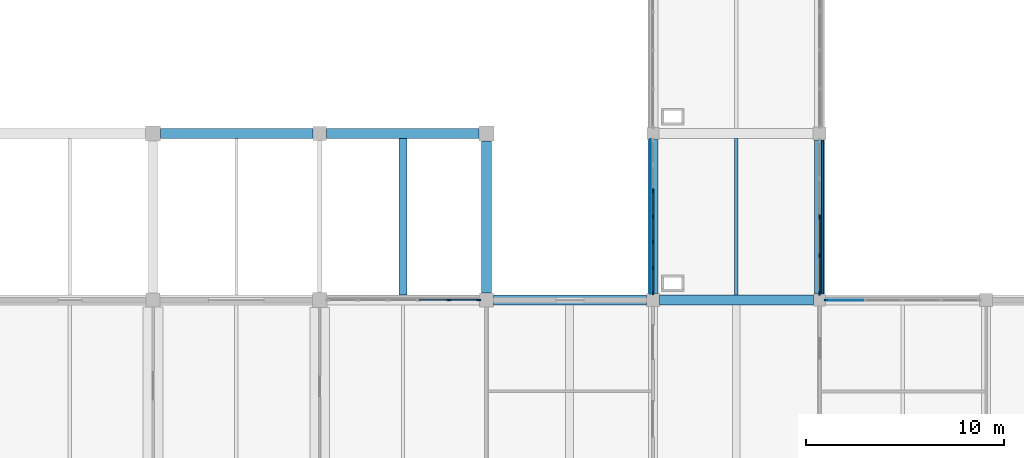
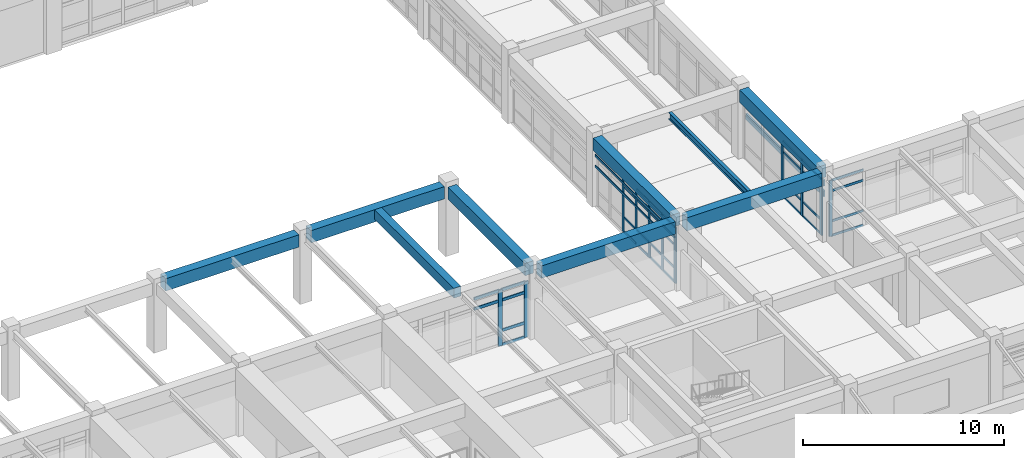
# One storey, part 34 of 99: 48 members, 9 beams, 4 elements without a shape of their own.
"""IFC4 building model written with IfcOpenShell, lengths in metres."""

import ifcopenshell
import ifcopenshell.guid

model = None  # the IFC model being written
_history = None  # IfcOwnerHistory: only IFC2X3 demands one
_inside = {}  # id of a spatial element -> (the spatial element, [elements in it])
_under = {}  # id of a project, library or spatial element -> (it, [spatial elements below it])
_declared = {}  # id of a project -> (the project, [libraries it declares])
_typed = {}  # id of a type object -> (the type object, [elements of that type])
_made_of = {}  # id of a material, layer set ... -> (it, [elements and type objects made of it])


def new_model(schema):
    """Start an empty IFC model of exactly this schema.

    Asked for "IFC4X3", IfcOpenShell would pick the latest addendum, in which some entities
    have other attributes; the version numbers below select the first issue.
    IFC2X3 requires an IfcOwnerHistory on every rooted entity: one is made here for all.
    """
    global model, _history
    if schema == "IFC4X3":
        model = ifcopenshell.file(schema_version=(4, 3, 0, 0))
    else:
        model = ifcopenshell.file(schema=schema)
    _inside.clear()
    _under.clear()
    _declared.clear()
    _typed.clear()
    _made_of.clear()
    _history = None
    if model.schema == "IFC2X3":
        org = make("IfcOrganization", Name="unknown")
        user = make(
            "IfcPersonAndOrganization",
            ThePerson=make("IfcPerson", FamilyName="unknown"),
            TheOrganization=org,
        )
        app = make(
            "IfcApplication",
            ApplicationDeveloper=org,
            Version="unknown",
            ApplicationFullName="unknown",
            ApplicationIdentifier="unknown",
        )
        _history = make(
            "IfcOwnerHistory",
            OwningUser=user,
            OwningApplication=app,
            ChangeAction="ADDED",
            CreationDate=0,
        )
    return model


def make(cls, **values):
    """One entity of the class cls with the attributes given. An attribute that is None is left unset."""
    return model.create_entity(
        cls, **{name: value for name, value in values.items() if value is not None}
    )


def rooted(cls, **values):
    """An entity with a GlobalId (a new one), such as an element, a storey or a relation."""
    return make(cls, GlobalId=ifcopenshell.guid.new(), OwnerHistory=_history, **values)


def si_unit(unit_type, name, prefix=None):
    """IfcSIUnit, for example si_unit("LENGTHUNIT", "METRE", prefix="MILLI")."""
    return make("IfcSIUnit", UnitType=unit_type, Prefix=prefix, Name=name)


def assignment(units):
    """IfcUnitAssignment: the units of a project."""
    return None if units is None else make("IfcUnitAssignment", Units=units)


def point(xyz):
    """IfcCartesianPoint."""
    return None if xyz is None else make("IfcCartesianPoint", Coordinates=xyz)


def direction(xyz):
    """IfcDirection."""
    return None if xyz is None else make("IfcDirection", DirectionRatios=xyz)


def frame(location, z_axis=None, x_axis=None):
    """IfcAxis2Placement3D, a coordinate frame: its origin and axes. An axis left out is left unset."""
    return make(
        "IfcAxis2Placement3D",
        Location=point(location),
        Axis=direction(z_axis),
        RefDirection=direction(x_axis),
    )


def frame_2d(location, x_axis=None):
    """IfcAxis2Placement2D, a coordinate frame in the plane: its origin and x axis."""
    return make(
        "IfcAxis2Placement2D", Location=point(location), RefDirection=direction(x_axis)
    )


def origin():
    """The frame at (0, 0, 0) with its axes left unset."""
    return frame((0.0, 0.0, 0.0))


def origin_2d():
    """The frame at (0, 0) in the plane with its x axis left unset."""
    return frame_2d((0.0, 0.0))


def place(relative_to, where):
    """IfcLocalPlacement: puts the frame where relative to a parent placement (None: the world)."""
    return make(
        "IfcLocalPlacement", PlacementRelTo=relative_to, RelativePlacement=where
    )


def context(
    kind, dimensions, precision=None, world=None, true_north=None, identifier=None
):
    """IfcGeometricRepresentationContext, for example the 3D "Model" context."""
    return make(
        "IfcGeometricRepresentationContext",
        ContextIdentifier=identifier,
        ContextType=kind,
        CoordinateSpaceDimension=dimensions,
        Precision=precision,
        WorldCoordinateSystem=world,
        TrueNorth=true_north,
    )


def subcontext(parent, identifier, kind, view, scale=None):
    """IfcGeometricRepresentationSubContext, for example "Body" below "Model"."""
    return make(
        "IfcGeometricRepresentationSubContext",
        ContextIdentifier=identifier,
        ContextType=kind,
        ParentContext=parent,
        TargetScale=scale,
        TargetView=view,
    )


def project(units=None, contexts=None):
    """IfcProject with its units and contexts."""
    return rooted(
        "IfcProject",
        Name="project",
        RepresentationContexts=contexts,
        UnitsInContext=assignment(units),
    )


def spatial(cls, under=None, at=None, **own):
    """A site, building, storey or space (cls), placed at a placement, below another one or the project."""
    s = rooted(cls, ObjectPlacement=at, **own)
    if under is not None:
        _under.setdefault(under.id(), (under, []))[1].append(s)
    return s


def profile(cls, at=None, kind="AREA", **sizes):
    """A parametric profile (cls). Its sizes go by their IFC names, for example OverallWidth=200.0."""
    return make(cls, ProfileType=kind, Position=at, **sizes)


def rectangle(**sizes):
    """IfcRectangleProfileDef."""
    return profile("IfcRectangleProfileDef", **sizes)


def i_section(**sizes):
    """IfcIShapeProfileDef."""
    return profile("IfcIShapeProfileDef", **sizes)


def extrude(swept, where, along, depth):
    """IfcExtrudedAreaSolid: the profile swept, set in the frame where, extruded along a direction by depth."""
    return make(
        "IfcExtrudedAreaSolid",
        SweptArea=swept,
        Position=where,
        ExtrudedDirection=direction(along),
        Depth=depth,
    )


def shape(context_of_items, identifier, shape_type, items):
    """IfcShapeRepresentation: the items that make up one representation, for example the "Body"."""
    return make(
        "IfcShapeRepresentation",
        ContextOfItems=context_of_items,
        RepresentationIdentifier=identifier,
        RepresentationType=shape_type,
        Items=items,
    )


def material(Name=None, Category=None):
    """IfcMaterial."""
    return make("IfcMaterial", Name=Name, Category=Category)


def layer(
    of_material, thickness, ventilated=None, Name=None, Category=None, Priority=None
):
    """IfcMaterialLayer: one layer of a wall or slab, of a material (None: an air gap)."""
    return make(
        "IfcMaterialLayer",
        Material=of_material,
        LayerThickness=thickness,
        IsVentilated=ventilated,
        Name=Name,
        Category=Category,
        Priority=Priority,
    )


def layer_set(layers, Name=None):
    """IfcMaterialLayerSet."""
    return make("IfcMaterialLayerSet", MaterialLayers=layers, LayerSetName=Name)


def material_profile(
    of_material, cross_section, Name=None, Category=None, Priority=None
):
    """IfcMaterialProfile: a cross section and its material."""
    return make(
        "IfcMaterialProfile",
        Name=Name,
        Material=of_material,
        Profile=cross_section,
        Priority=Priority,
        Category=Category,
    )


def profile_set(profiles, Name=None, composite=None):
    """IfcMaterialProfileSet."""
    return make(
        "IfcMaterialProfileSet",
        Name=Name,
        MaterialProfiles=profiles,
        CompositeProfile=composite,
    )


def made_of(thing, what):
    """Note that an element or type object is made of a material, layer set ...; save() writes the relation."""
    if what is not None:
        _made_of.setdefault(what.id(), (what, []))[1].append(thing)
    return thing


def type_object(cls, material=None, **own):
    """A type object (cls), such as IfcWallType, which elements share."""
    return made_of(rooted(cls, **own), material)


def element(
    cls,
    number,
    at=None,
    inside=None,
    cuts=None,
    type_object=None,
    material=None,
    context=None,
    identifier="Body",
    shape_type=None,
    held_by="IfcProductDefinitionShape",
    body=None,
    shapes=None,
    **own,
):
    """One element of the class cls, such as IfcWall. Its Tag is "e" and its number.

    at: its placement. inside: the storey or other place that contains it. cuts: it is an
    opening in that element (IfcRelVoidsElement). A single representation is given by context,
    identifier, shape_type and body (its items); several are given by shapes. held_by: the class
    of the entity that holds the representations. save() writes the other relations.
    """
    e = rooted(cls, Tag="e%d" % number, ObjectPlacement=at, **own)
    if body is not None:
        shapes = [shape(context, identifier, shape_type, body)]
    if shapes is not None:
        e.Representation = make(held_by, Representations=shapes)
    if inside is not None:
        _inside.setdefault(inside.id(), (inside, []))[1].append(e)
    if cuts is not None:
        rooted(
            "IfcRelVoidsElement", RelatingBuildingElement=cuts, RelatedOpeningElement=e
        )
    if type_object is not None:
        _typed.setdefault(type_object.id(), (type_object, []))[1].append(e)
    return made_of(e, material)


def aggregate(whole, parts):
    """IfcRelAggregates: a whole, such as a stair, and the parts it consists of."""
    return rooted("IfcRelAggregates", RelatingObject=whole, RelatedObjects=parts)


def save(model, path):
    """Write the relations noted so far, then the file.

    IfcRelAggregates (storeys below a building ...), IfcRelContainedInSpatialStructure (elements
    in a storey), IfcRelDefinesByType, IfcRelAssociatesMaterial and IfcRelDeclares: one each for
    every whole, place, type object, material and project.
    """
    for whole, parts in _under.values():
        aggregate(whole, parts)
    for where, things in _inside.values():
        rooted(
            "IfcRelContainedInSpatialStructure",
            RelatedElements=things,
            RelatingStructure=where,
        )
    for kind, things in _typed.values():
        rooted("IfcRelDefinesByType", RelatedObjects=things, RelatingType=kind)
    for what, things in _made_of.values():
        rooted("IfcRelAssociatesMaterial", RelatedObjects=things, RelatingMaterial=what)
    for by, libraries in _declared.values():
        rooted("IfcRelDeclares", RelatingContext=by, RelatedDefinitions=libraries)
    model.write(path)


model = new_model("IFC4")

# Units and contexts
model_context = context("Model", 3, precision=1e-05, world=origin(), true_north=direction((0.0, 1.0)))
body_context = subcontext(model_context, "Body", "Model", "MODEL_VIEW")
ifc_project = project(units=[si_unit("LENGTHUNIT", "METRE"), si_unit("AREAUNIT", "SQUARE_METRE"), si_unit("VOLUMEUNIT", "CUBIC_METRE"), si_unit("PLANEANGLEUNIT", "RADIAN"), si_unit("MASSUNIT", "GRAM", prefix="KILO")], contexts=[model_context])

# Site, building, storey
site_placement = place(None, origin())
site = spatial("IfcSite", under=ifc_project, at=site_placement, CompositionType="ELEMENT")
building_placement = place(site_placement, origin())
building = spatial("IfcBuilding", under=site, at=building_placement, Name="Porcellanite Civic Hall", CompositionType="ELEMENT")
storey_placement = place(building_placement, frame((0.0, 0.0, 5.760009765625)))
storey = spatial("IfcBuildingStorey", under=building, at=storey_placement, Name="L01", CompositionType="ELEMENT", Elevation=5.760009765625)

# Beams
ifc_material_1 = material(Name="Concrete N50 (50 MPa)", Category="concrete")
ifc_material_profile_1 = material_profile(ifc_material_1, rectangle(XDim=0.39990234375, YDim=0.60009765625, at=origin_2d()), Name="RC-400x600")
ifc_profile_set_1 = profile_set([ifc_material_profile_1], Name="Concrete N50 (50 MPa)")
beam_type_1 = type_object("IfcBeamType", Name="BM-RC600", PredefinedType="JOIST", material=ifc_profile_set_1)
beam_1_placement = place(storey_placement, frame((105.0, 67.449462890625, 3.89990234375), z_axis=(0.0, 1.0, 0.0), x_axis=(-1.0, 0.0, 0.0)))
element("IfcBeam", 1, at=beam_1_placement, inside=storey, type_object=beam_type_1, Name="Secondary joist L01 13-9", PredefinedType="JOIST", context=body_context, shape_type="SweptSolid", body=[
    extrude(rectangle(XDim=0.39990234375, YDim=0.60009765625, at=origin_2d()), origin(), (0.0, 0.0, 1.0), 7.901123046875),
])
ifc_material_2 = material(Name="Concrete N50 (50 MPa)", Category="concrete")
ifc_material_profile_2 = material_profile(ifc_material_2, rectangle(XDim=0.5, YDim=0.75, at=origin_2d()), Name="RC-500x750")
ifc_profile_set_2 = profile_set([ifc_material_profile_2], Name="Concrete N50 (50 MPa)")
beam_type_2 = type_object("IfcBeamType", Name="BM-RC750", PredefinedType="SPANDREL", material=ifc_profile_set_2)
for number, where, z_axis, x_axis, name in (
    (2, (92.7744140625, 75.60009765625, 3.824951171875), (1.0, 0.0, 0.0), (0.0, 1.0, 0.0), "Beam X L01 12-10"),
    (3, (101.1494140625, 75.60009765625, 3.824951171875), (1.0, 0.0, 0.0), (0.0, 1.0, 0.0), "Beam X L01 13-10"),
):
    element("IfcBeam", number, at=place(storey_placement, frame(where, z_axis=z_axis, x_axis=x_axis)), inside=storey, type_object=beam_type_2, Name=name, PredefinedType="SPANDREL", context=body_context, shape_type="SweptSolid", body=[
        extrude(rectangle(XDim=0.5, YDim=0.75, at=origin_2d()), origin(), (0.0, 0.0, 1.0), 7.676025390625),
    ])
beam_2_placement = place(storey_placement, frame((109.549560546875, 67.199951171875, 3.824951171875), z_axis=(1.0, 0.0, 0.0), x_axis=(0.0, 1.0, 0.0)))
element("IfcBeam", 4, at=beam_2_placement, inside=storey, type_object=beam_type_2, Name="Beam X L01 14-9", PredefinedType="SPANDREL", context=body_context, shape_type="SweptSolid", body=[
    extrude(rectangle(XDim=0.5, YDim=0.75, at=origin_2d()), origin(), (0.0, 0.0, 1.0), 7.725830078125),
])
beam_3_placement = place(storey_placement, frame((109.199951171875, 67.549560546875, 3.824951171875), z_axis=(0.0, 1.0, 0.0), x_axis=(-1.0, 0.0, 0.0)))
element("IfcBeam", 5, at=beam_3_placement, inside=storey, type_object=beam_type_2, Name="Beam Y L01 14-9", PredefinedType="SPANDREL", context=body_context, shape_type="SweptSolid", body=[
    extrude(rectangle(XDim=0.5, YDim=0.75, at=origin_2d()), origin(), (0.0, 0.0, 1.0), 7.676025390625),
])
beam_4_placement = place(storey_placement, frame((117.60009765625, 67.5244140625, 3.824951171875), z_axis=(0.0, 1.0, 0.0), x_axis=(-1.0, 0.0, 0.0)))
element("IfcBeam", 6, at=beam_4_placement, inside=storey, type_object=beam_type_2, Name="Beam Y L01 15-9", PredefinedType="SPANDREL", context=body_context, shape_type="SweptSolid", body=[
    extrude(rectangle(XDim=0.5, YDim=0.75, at=origin_2d()), origin(), (0.0, 0.0, 1.0), 7.776123046875),
])
beam_5_placement = place(storey_placement, frame((126.0, 67.49951171875, 3.824951171875), z_axis=(0.0, 1.0, 0.0), x_axis=(-1.0, 0.0, 0.0)))
element("IfcBeam", 7, at=beam_5_placement, inside=storey, type_object=beam_type_2, Name="Beam Y L01 16-9", PredefinedType="SPANDREL", context=body_context, shape_type="SweptSolid", body=[
    extrude(rectangle(XDim=0.5, YDim=0.75, at=origin_2d()), origin(), (0.0, 0.0, 1.0), 7.77587890625),
])
ifc_material_3 = material(Name="Concrete N50 (50 MPa)", Category="concrete")
ifc_material_profile_3 = material_profile(ifc_material_3, rectangle(XDim=0.5, YDim=0.800048828125, at=origin_2d()), Name="RC-500x800")
ifc_profile_set_3 = profile_set([ifc_material_profile_3], Name="Concrete N50 (50 MPa)")
beam_type_3 = type_object("IfcBeamType", Name="BM-RC800", PredefinedType="BEAM", material=ifc_profile_set_3)
beam_6_placement = place(storey_placement, frame((117.924560546875, 67.199951171875, 3.800048828125), z_axis=(1.0, 0.0, 0.0), x_axis=(0.0, 1.0, 0.0)))
element("IfcBeam", 8, at=beam_6_placement, inside=storey, type_object=beam_type_3, Name="Beam X L01 15-9", PredefinedType="BEAM", context=body_context, shape_type="SweptSolid", body=[
    extrude(rectangle(XDim=0.5, YDim=0.800048828125, at=origin_2d()), origin(), (0.0, 0.0, 1.0), 7.77587890625),
])

# Curtain wall, members
ifc_material_4 = material(Name="Anodised aluminium and solar laminated glass", Category="aluminium")
ifc_layer_1 = layer(ifc_material_4, 0.179931640625)
ifc_layer_set_1 = layer_set([ifc_layer_1], Name="Anodised aluminium and solar laminated glass")
curtain_wall_type_1 = type_object("IfcCurtainWallType", Name="CW-SYS01", PredefinedType="NOTDEFINED", material=ifc_layer_set_1)
curtain_wall_1_placement = place(storey_placement, origin())
curtain_wall_1 = element("IfcCurtainWall", 9, at=curtain_wall_1_placement, inside=storey, type_object=curtain_wall_type_1, Name="Curtain wall CW-103", PredefinedType="NOTDEFINED")
ifc_material_5 = material(Name="Anodised aluminium 6063-T6", Category="aluminium")
ifc_material_profile_4 = material_profile(ifc_material_5, rectangle(XDim=0.080078125, YDim=0.239990234375, at=origin_2d()), Name="AL-80x240")
ifc_profile_set_4 = profile_set([ifc_material_profile_4], Name="Anodised aluminium 6063-T6")
member_type_1 = type_object("IfcMemberType", Name="CWM-01", PredefinedType="MULLION", material=ifc_profile_set_4)
member_1_placement = place(storey_placement, frame((107.314453125, 67.199951171875, 0.0), z_axis=(0.0, 0.0, 1.0), x_axis=(0.0, 1.0, 0.0)))
member_1 = element("IfcMember", 10, at=member_1_placement, type_object=member_type_1, Name="CW-103 mullion 5", PredefinedType="MULLION", context=body_context, shape_type="SweptSolid", body=[
    extrude(rectangle(XDim=0.080078125, YDim=0.239990234375, at=origin_2d()), origin(), (0.0, 0.0, 1.0), 3.39990234375),
])
member_2_placement = place(storey_placement, frame((108.80908203125, 67.199951171875, 0.0), z_axis=(0.0, 0.0, 1.0), x_axis=(0.0, 1.0, 0.0)))
member_2 = element("IfcMember", 11, at=member_2_placement, type_object=member_type_1, Name="CW-103 mullion 6", PredefinedType="MULLION", context=body_context, shape_type="SweptSolid", body=[
    extrude(rectangle(XDim=0.080078125, YDim=0.239990234375, at=origin_2d()), origin(), (0.0, 0.0, 1.0), 3.39990234375),
])

ifc_material_6 = material(Name="Anodised aluminium and solar laminated glass", Category="aluminium")
ifc_layer_2 = layer(ifc_material_6, 0.179931640625)
ifc_layer_set_2 = layer_set([ifc_layer_2], Name="Anodised aluminium and solar laminated glass")
curtain_wall_type_2 = type_object("IfcCurtainWallType", Name="CW-SYS03", PredefinedType="NOTDEFINED", material=ifc_layer_set_2)
curtain_wall_2_placement = place(storey_placement, origin())
curtain_wall_2 = element("IfcCurtainWall", 12, at=curtain_wall_2_placement, inside=storey, type_object=curtain_wall_type_2, Name="Curtain wall CW-108", PredefinedType="NOTDEFINED")
ifc_material_7 = material(Name="Anodised aluminium 6063-T6", Category="aluminium")
ifc_material_profile_5 = material_profile(ifc_material_7, rectangle(XDim=0.080078125, YDim=0.2099609375, at=origin_2d()), Name="AL-80x210")
ifc_profile_set_5 = profile_set([ifc_material_profile_5], Name="Anodised aluminium 6063-T6")
member_type_2 = type_object("IfcMemberType", Name="CWM-02", PredefinedType="MULLION", material=ifc_profile_set_5)
member_3_placement = place(storey_placement, frame((126.0, 71.387451171875, 0.0), z_axis=(0.0, 0.0, 1.0), x_axis=(1.0, 0.0, 0.0)))
member_3 = element("IfcMember", 13, at=member_3_placement, type_object=member_type_2, Name="CW-108 mullion 3", PredefinedType="MULLION", context=body_context, shape_type="SweptSolid", body=[
    extrude(rectangle(XDim=0.080078125, YDim=0.2099609375, at=origin_2d()), origin(), (0.0, 0.0, 1.0), 3.39990234375),
])
member_4_placement = place(storey_placement, frame((126.0, 69.4443359375, 0.0), z_axis=(0.0, 0.0, 1.0), x_axis=(1.0, 0.0, 0.0)))
member_4 = element("IfcMember", 14, at=member_4_placement, type_object=member_type_2, Name="CW-108 mullion 4", PredefinedType="MULLION", context=body_context, shape_type="SweptSolid", body=[
    extrude(rectangle(XDim=0.080078125, YDim=0.2099609375, at=origin_2d()), origin(), (0.0, 0.0, 1.0), 3.39990234375),
])
member_5_placement = place(storey_placement, frame((126.0, 67.541015625, 0.0), z_axis=(0.0, 0.0, 1.0), x_axis=(1.0, 0.0, 0.0)))
member_5 = element("IfcMember", 15, at=member_5_placement, type_object=member_type_2, Name="CW-108 mullion 5", PredefinedType="MULLION", context=body_context, shape_type="SweptSolid", body=[
    extrude(rectangle(XDim=0.080078125, YDim=0.2099609375, at=origin_2d()), origin(), (0.0, 0.0, 1.0), 3.39990234375),
])

curtain_wall_3_placement = place(storey_placement, origin())
curtain_wall_3 = element("IfcCurtainWall", 16, at=curtain_wall_3_placement, inside=storey, type_object=curtain_wall_type_1, Name="Curtain wall CW-107", PredefinedType="NOTDEFINED")
ifc_material_8 = material(Name="Anodised aluminium 6063-T6", Category="aluminium")
ifc_material_profile_6 = material_profile(ifc_material_8, rectangle(XDim=0.070068359375, YDim=0.199951171875, at=origin_2d()), Name="AL-70x200")
ifc_profile_set_6 = profile_set([ifc_material_profile_6], Name="Anodised aluminium 6063-T6")
member_type_3 = type_object("IfcMemberType", Name="CWM-05", PredefinedType="MULLION", material=ifc_profile_set_6)
member_6_placement = place(storey_placement, frame((117.60009765625, 67.56103515625, 0.0), z_axis=(0.0, 0.0, 1.0), x_axis=(-1.0, 0.0, 0.0)))
member_6 = element("IfcMember", 17, at=member_6_placement, type_object=member_type_3, Name="CW-107 mullion 1", PredefinedType="MULLION", context=body_context, shape_type="SweptSolid", body=[
    extrude(rectangle(XDim=0.070068359375, YDim=0.199951171875, at=origin_2d()), origin(), (0.0, 0.0, 1.0), 3.39990234375),
])
member_7_placement = place(storey_placement, frame((117.60009765625, 68.821533203125, 0.0), z_axis=(0.0, 0.0, 1.0), x_axis=(-1.0, 0.0, 0.0)))
member_7 = element("IfcMember", 18, at=member_7_placement, type_object=member_type_3, Name="CW-107 mullion 2", PredefinedType="MULLION", context=body_context, shape_type="SweptSolid", body=[
    extrude(rectangle(XDim=0.070068359375, YDim=0.199951171875, at=origin_2d()), origin(), (0.0, 0.0, 1.0), 3.39990234375),
])
member_8_placement = place(storey_placement, frame((117.60009765625, 70.116943359375, 0.0), z_axis=(0.0, 0.0, 1.0), x_axis=(-1.0, 0.0, 0.0)))
member_8 = element("IfcMember", 19, at=member_8_placement, type_object=member_type_3, Name="CW-107 mullion 3", PredefinedType="MULLION", context=body_context, shape_type="SweptSolid", body=[
    extrude(rectangle(XDim=0.070068359375, YDim=0.199951171875, at=origin_2d()), origin(), (0.0, 0.0, 1.0), 3.39990234375),
])
member_9_placement = place(storey_placement, frame((117.60009765625, 71.41259765625, 0.0), z_axis=(0.0, 0.0, 1.0), x_axis=(-1.0, 0.0, 0.0)))
member_9 = element("IfcMember", 20, at=member_9_placement, type_object=member_type_3, Name="CW-107 mullion 4", PredefinedType="MULLION", context=body_context, shape_type="SweptSolid", body=[
    extrude(rectangle(XDim=0.070068359375, YDim=0.199951171875, at=origin_2d()), origin(), (0.0, 0.0, 1.0), 3.39990234375),
])
member_10_placement = place(storey_placement, frame((117.60009765625, 72.7080078125, 0.0), z_axis=(0.0, 0.0, 1.0), x_axis=(-1.0, 0.0, 0.0)))
member_10 = element("IfcMember", 21, at=member_10_placement, type_object=member_type_3, Name="CW-107 mullion 5", PredefinedType="MULLION", context=body_context, shape_type="SweptSolid", body=[
    extrude(rectangle(XDim=0.070068359375, YDim=0.199951171875, at=origin_2d()), origin(), (0.0, 0.0, 1.0), 3.39990234375),
])

# Curtain wall, member
ifc_material_9 = material(Name="Anodised aluminium and solar laminated glass", Category="aluminium")
ifc_layer_3 = layer(ifc_material_9, 0.179931640625)
ifc_layer_set_3 = layer_set([ifc_layer_3], Name="Anodised aluminium and solar laminated glass")
curtain_wall_type_3 = type_object("IfcCurtainWallType", Name="CW-SYS06", PredefinedType="NOTDEFINED", material=ifc_layer_set_3)
curtain_wall_4_placement = place(storey_placement, origin())
curtain_wall_4 = element("IfcCurtainWall", 22, at=curtain_wall_4_placement, inside=storey, type_object=curtain_wall_type_3, Name="Curtain wall CW-116", PredefinedType="NOTDEFINED")
ifc_material_10 = material(Name="Anodised aluminium 6063-T6", Category="aluminium")
ifc_material_profile_7 = material_profile(ifc_material_10, rectangle(XDim=0.06494140625, YDim=0.179931640625, at=origin_2d()), Name="AL-65x180")
ifc_profile_set_7 = profile_set([ifc_material_profile_7], Name="Anodised aluminium 6063-T6")
member_type_4 = type_object("IfcMemberType", Name="CWM-06", PredefinedType="MULLION", material=ifc_profile_set_7)
member_11_placement = place(storey_placement, frame((126.33349609375, 67.199951171875, 0.0), z_axis=(0.0, 0.0, 1.0), x_axis=(0.0, 1.0, 0.0)))
member_11 = element("IfcMember", 23, at=member_11_placement, type_object=member_type_4, Name="CW-116 mullion 1", PredefinedType="MULLION", context=body_context, shape_type="SweptSolid", body=[
    extrude(rectangle(XDim=0.06494140625, YDim=0.179931640625, at=origin_2d()), origin(), (0.0, 0.0, 1.0), 3.39990234375),
])

# Member
ifc_material_11 = material(Name="Anodised aluminium 6063-T6", Category="aluminium")
ifc_material_profile_8 = material_profile(ifc_material_11, rectangle(XDim=0.070068359375, YDim=0.175048828125, at=origin_2d()), Name="AL-70x175")
ifc_profile_set_8 = profile_set([ifc_material_profile_8], Name="Anodised aluminium 6063-T6")
member_type_5 = type_object("IfcMemberType", Name="CWT-01", PredefinedType="USERDEFINED", material=ifc_profile_set_8)
member_12_placement = place(storey_placement, frame((105.81982421875, 67.199951171875, 2.75), z_axis=(1.0, 0.0, 0.0), x_axis=(0.0, 1.0, 0.0)))
member_12 = element("IfcMember", 24, at=member_12_placement, type_object=member_type_5, Name="CW-103 transom 4.3", ObjectType="TRANSOM", PredefinedType="USERDEFINED", context=body_context, shape_type="SweptSolid", body=[
    extrude(rectangle(XDim=0.070068359375, YDim=0.175048828125, at=origin_2d()), origin(), (0.0, 0.0, 1.0), 1.45458984375),
])

member_13_placement = place(storey_placement, frame((105.81982421875, 67.199951171875, 3.364990234375), z_axis=(1.0, 0.0, 0.0), x_axis=(0.0, 1.0, 0.0)))
member_13 = element("IfcMember", 25, at=member_13_placement, type_object=member_type_5, Name="CW-103 transom 4.4", ObjectType="TRANSOM", PredefinedType="USERDEFINED", context=body_context, shape_type="SweptSolid", body=[
    extrude(rectangle(XDim=0.070068359375, YDim=0.175048828125, at=origin_2d()), origin(), (0.0, 0.0, 1.0), 1.45458984375),
])

member_14_placement = place(storey_placement, frame((107.3544921875, 67.199951171875, 0.034912109375), z_axis=(1.0, 0.0, 0.0), x_axis=(0.0, 1.0, 0.0)))
member_14 = element("IfcMember", 26, at=member_14_placement, type_object=member_type_5, Name="CW-103 transom 5.1", ObjectType="TRANSOM", PredefinedType="USERDEFINED", context=body_context, shape_type="SweptSolid", body=[
    extrude(rectangle(XDim=0.070068359375, YDim=0.175048828125, at=origin_2d()), origin(), (0.0, 0.0, 1.0), 1.41455078125),
])

member_15_placement = place(storey_placement, frame((107.3544921875, 67.199951171875, 0.89990234375), z_axis=(1.0, 0.0, 0.0), x_axis=(0.0, 1.0, 0.0)))
member_15 = element("IfcMember", 27, at=member_15_placement, type_object=member_type_5, Name="CW-103 transom 5.2", ObjectType="TRANSOM", PredefinedType="USERDEFINED", context=body_context, shape_type="SweptSolid", body=[
    extrude(rectangle(XDim=0.070068359375, YDim=0.175048828125, at=origin_2d()), origin(), (0.0, 0.0, 1.0), 1.41455078125),
])

member_16_placement = place(storey_placement, frame((107.3544921875, 67.199951171875, 2.75), z_axis=(1.0, 0.0, 0.0), x_axis=(0.0, 1.0, 0.0)))
member_16 = element("IfcMember", 28, at=member_16_placement, type_object=member_type_5, Name="CW-103 transom 5.3", ObjectType="TRANSOM", PredefinedType="USERDEFINED", context=body_context, shape_type="SweptSolid", body=[
    extrude(rectangle(XDim=0.070068359375, YDim=0.175048828125, at=origin_2d()), origin(), (0.0, 0.0, 1.0), 1.41455078125),
])

member_17_placement = place(storey_placement, frame((107.3544921875, 67.199951171875, 3.364990234375), z_axis=(1.0, 0.0, 0.0), x_axis=(0.0, 1.0, 0.0)))
member_17 = element("IfcMember", 29, at=member_17_placement, type_object=member_type_5, Name="CW-103 transom 5.4", ObjectType="TRANSOM", PredefinedType="USERDEFINED", context=body_context, shape_type="SweptSolid", body=[
    extrude(rectangle(XDim=0.070068359375, YDim=0.175048828125, at=origin_2d()), origin(), (0.0, 0.0, 1.0), 1.41455078125),
])

aggregate(curtain_wall_1, [member_1, member_2, member_12, member_13, member_14, member_15, member_16, member_17])

ifc_material_12 = material(Name="Anodised aluminium 6063-T6", Category="aluminium")
ifc_material_profile_9 = material_profile(ifc_material_12, rectangle(XDim=0.06005859375, YDim=0.1298828125, at=origin_2d()), Name="AL-60x130")
ifc_profile_set_9 = profile_set([ifc_material_profile_9], Name="Anodised aluminium 6063-T6")
member_type_6 = type_object("IfcMemberType", Name="CWT-03", PredefinedType="USERDEFINED", material=ifc_profile_set_9)
member_18_placement = place(storey_placement, frame((117.60009765625, 67.595947265625, 0.030029296875), z_axis=(0.0, 1.0, 0.0), x_axis=(-1.0, 0.0, 0.0)))
member_18 = element("IfcMember", 30, at=member_18_placement, type_object=member_type_6, Name="CW-107 transom 1.1", ObjectType="TRANSOM", PredefinedType="USERDEFINED", context=body_context, shape_type="SweptSolid", body=[
    extrude(rectangle(XDim=0.06005859375, YDim=0.1298828125, at=origin_2d()), origin(), (0.0, 0.0, 1.0), 1.190673828125),
])

member_19_placement = place(storey_placement, frame((117.60009765625, 67.595947265625, 0.89990234375), z_axis=(0.0, 1.0, 0.0), x_axis=(-1.0, 0.0, 0.0)))
member_19 = element("IfcMember", 31, at=member_19_placement, type_object=member_type_6, Name="CW-107 transom 1.2", ObjectType="TRANSOM", PredefinedType="USERDEFINED", context=body_context, shape_type="SweptSolid", body=[
    extrude(rectangle(XDim=0.06005859375, YDim=0.1298828125, at=origin_2d()), origin(), (0.0, 0.0, 1.0), 1.190673828125),
])

member_20_placement = place(storey_placement, frame((117.60009765625, 67.595947265625, 2.75), z_axis=(0.0, 1.0, 0.0), x_axis=(-1.0, 0.0, 0.0)))
member_20 = element("IfcMember", 32, at=member_20_placement, type_object=member_type_6, Name="CW-107 transom 1.3", ObjectType="TRANSOM", PredefinedType="USERDEFINED", context=body_context, shape_type="SweptSolid", body=[
    extrude(rectangle(XDim=0.06005859375, YDim=0.1298828125, at=origin_2d()), origin(), (0.0, 0.0, 1.0), 1.190673828125),
])

member_21_placement = place(storey_placement, frame((117.60009765625, 67.595947265625, 3.369873046875), z_axis=(0.0, 1.0, 0.0), x_axis=(-1.0, 0.0, 0.0)))
member_21 = element("IfcMember", 33, at=member_21_placement, type_object=member_type_6, Name="CW-107 transom 1.4", ObjectType="TRANSOM", PredefinedType="USERDEFINED", context=body_context, shape_type="SweptSolid", body=[
    extrude(rectangle(XDim=0.06005859375, YDim=0.1298828125, at=origin_2d()), origin(), (0.0, 0.0, 1.0), 1.190673828125),
])

member_22_placement = place(storey_placement, frame((117.60009765625, 68.8564453125, 0.030029296875), z_axis=(0.0, 1.0, 0.0), x_axis=(-1.0, 0.0, 0.0)))
member_22 = element("IfcMember", 34, at=member_22_placement, type_object=member_type_6, Name="CW-107 transom 2.1", ObjectType="TRANSOM", PredefinedType="USERDEFINED", context=body_context, shape_type="SweptSolid", body=[
    extrude(rectangle(XDim=0.06005859375, YDim=0.1298828125, at=origin_2d()), origin(), (0.0, 0.0, 1.0), 1.2255859375),
])

member_23_placement = place(storey_placement, frame((117.60009765625, 68.8564453125, 0.89990234375), z_axis=(0.0, 1.0, 0.0), x_axis=(-1.0, 0.0, 0.0)))
member_23 = element("IfcMember", 35, at=member_23_placement, type_object=member_type_6, Name="CW-107 transom 2.2", ObjectType="TRANSOM", PredefinedType="USERDEFINED", context=body_context, shape_type="SweptSolid", body=[
    extrude(rectangle(XDim=0.06005859375, YDim=0.1298828125, at=origin_2d()), origin(), (0.0, 0.0, 1.0), 1.2255859375),
])

member_24_placement = place(storey_placement, frame((117.60009765625, 68.8564453125, 2.75), z_axis=(0.0, 1.0, 0.0), x_axis=(-1.0, 0.0, 0.0)))
member_24 = element("IfcMember", 36, at=member_24_placement, type_object=member_type_6, Name="CW-107 transom 2.3", ObjectType="TRANSOM", PredefinedType="USERDEFINED", context=body_context, shape_type="SweptSolid", body=[
    extrude(rectangle(XDim=0.06005859375, YDim=0.1298828125, at=origin_2d()), origin(), (0.0, 0.0, 1.0), 1.2255859375),
])

member_25_placement = place(storey_placement, frame((117.60009765625, 68.8564453125, 3.369873046875), z_axis=(0.0, 1.0, 0.0), x_axis=(-1.0, 0.0, 0.0)))
member_25 = element("IfcMember", 37, at=member_25_placement, type_object=member_type_6, Name="CW-107 transom 2.4", ObjectType="TRANSOM", PredefinedType="USERDEFINED", context=body_context, shape_type="SweptSolid", body=[
    extrude(rectangle(XDim=0.06005859375, YDim=0.1298828125, at=origin_2d()), origin(), (0.0, 0.0, 1.0), 1.2255859375),
])

member_26_placement = place(storey_placement, frame((117.60009765625, 70.152099609375, 0.030029296875), z_axis=(0.0, 1.0, 0.0), x_axis=(-1.0, 0.0, 0.0)))
member_26 = element("IfcMember", 38, at=member_26_placement, type_object=member_type_6, Name="CW-107 transom 3.1", ObjectType="TRANSOM", PredefinedType="USERDEFINED", context=body_context, shape_type="SweptSolid", body=[
    extrude(rectangle(XDim=0.06005859375, YDim=0.1298828125, at=origin_2d()), origin(), (0.0, 0.0, 1.0), 1.225341796875),
])

member_27_placement = place(storey_placement, frame((117.60009765625, 70.152099609375, 0.89990234375), z_axis=(0.0, 1.0, 0.0), x_axis=(-1.0, 0.0, 0.0)))
member_27 = element("IfcMember", 39, at=member_27_placement, type_object=member_type_6, Name="CW-107 transom 3.2", ObjectType="TRANSOM", PredefinedType="USERDEFINED", context=body_context, shape_type="SweptSolid", body=[
    extrude(rectangle(XDim=0.06005859375, YDim=0.1298828125, at=origin_2d()), origin(), (0.0, 0.0, 1.0), 1.225341796875),
])

member_28_placement = place(storey_placement, frame((117.60009765625, 70.152099609375, 2.75), z_axis=(0.0, 1.0, 0.0), x_axis=(-1.0, 0.0, 0.0)))
member_28 = element("IfcMember", 40, at=member_28_placement, type_object=member_type_6, Name="CW-107 transom 3.3", ObjectType="TRANSOM", PredefinedType="USERDEFINED", context=body_context, shape_type="SweptSolid", body=[
    extrude(rectangle(XDim=0.06005859375, YDim=0.1298828125, at=origin_2d()), origin(), (0.0, 0.0, 1.0), 1.225341796875),
])

member_29_placement = place(storey_placement, frame((117.60009765625, 70.152099609375, 3.369873046875), z_axis=(0.0, 1.0, 0.0), x_axis=(-1.0, 0.0, 0.0)))
member_29 = element("IfcMember", 41, at=member_29_placement, type_object=member_type_6, Name="CW-107 transom 3.4", ObjectType="TRANSOM", PredefinedType="USERDEFINED", context=body_context, shape_type="SweptSolid", body=[
    extrude(rectangle(XDim=0.06005859375, YDim=0.1298828125, at=origin_2d()), origin(), (0.0, 0.0, 1.0), 1.225341796875),
])

member_30_placement = place(storey_placement, frame((117.60009765625, 71.447509765625, 0.030029296875), z_axis=(0.0, 1.0, 0.0), x_axis=(-1.0, 0.0, 0.0)))
member_30 = element("IfcMember", 42, at=member_30_placement, type_object=member_type_6, Name="CW-107 transom 4.1", ObjectType="TRANSOM", PredefinedType="USERDEFINED", context=body_context, shape_type="SweptSolid", body=[
    extrude(rectangle(XDim=0.06005859375, YDim=0.1298828125, at=origin_2d()), origin(), (0.0, 0.0, 1.0), 1.2255859375),
])

member_31_placement = place(storey_placement, frame((117.60009765625, 71.447509765625, 0.89990234375), z_axis=(0.0, 1.0, 0.0), x_axis=(-1.0, 0.0, 0.0)))
member_31 = element("IfcMember", 43, at=member_31_placement, type_object=member_type_6, Name="CW-107 transom 4.2", ObjectType="TRANSOM", PredefinedType="USERDEFINED", context=body_context, shape_type="SweptSolid", body=[
    extrude(rectangle(XDim=0.06005859375, YDim=0.1298828125, at=origin_2d()), origin(), (0.0, 0.0, 1.0), 1.2255859375),
])

member_32_placement = place(storey_placement, frame((117.60009765625, 71.447509765625, 2.75), z_axis=(0.0, 1.0, 0.0), x_axis=(-1.0, 0.0, 0.0)))
member_32 = element("IfcMember", 44, at=member_32_placement, type_object=member_type_6, Name="CW-107 transom 4.3", ObjectType="TRANSOM", PredefinedType="USERDEFINED", context=body_context, shape_type="SweptSolid", body=[
    extrude(rectangle(XDim=0.06005859375, YDim=0.1298828125, at=origin_2d()), origin(), (0.0, 0.0, 1.0), 1.2255859375),
])

aggregate(curtain_wall_3, [member_6, member_7, member_8, member_9, member_10, member_18, member_19, member_20, member_21, member_22, member_23, member_24, member_25, member_26, member_27, member_28, member_29, member_30, member_31, member_32])

ifc_material_13 = material(Name="Anodised aluminium 6063-T6", Category="aluminium")
ifc_material_profile_10 = material_profile(ifc_material_13, rectangle(XDim=0.054931640625, YDim=0.1201171875, at=origin_2d()), Name="AL-55x120")
ifc_profile_set_10 = profile_set([ifc_material_profile_10], Name="Anodised aluminium 6063-T6")
member_type_7 = type_object("IfcMemberType", Name="CWT-04", PredefinedType="USERDEFINED", material=ifc_profile_set_10)
member_33_placement = place(storey_placement, frame((126.0, 71.347412109375, 0.027587890625), z_axis=(0.0, -1.0, 0.0), x_axis=(1.0, 0.0, 0.0)))
member_33 = element("IfcMember", 45, at=member_33_placement, type_object=member_type_7, Name="CW-108 transom 3.1", ObjectType="TRANSOM", PredefinedType="USERDEFINED", context=body_context, shape_type="SweptSolid", body=[
    extrude(rectangle(XDim=0.054931640625, YDim=0.1201171875, at=origin_2d()), origin(), (0.0, 0.0, 1.0), 1.86328125),
])

member_34_placement = place(storey_placement, frame((126.0, 71.347412109375, 0.89990234375), z_axis=(0.0, -1.0, 0.0), x_axis=(1.0, 0.0, 0.0)))
member_34 = element("IfcMember", 46, at=member_34_placement, type_object=member_type_7, Name="CW-108 transom 3.2", ObjectType="TRANSOM", PredefinedType="USERDEFINED", context=body_context, shape_type="SweptSolid", body=[
    extrude(rectangle(XDim=0.054931640625, YDim=0.1201171875, at=origin_2d()), origin(), (0.0, 0.0, 1.0), 1.86328125),
])

member_35_placement = place(storey_placement, frame((126.0, 71.347412109375, 2.75), z_axis=(0.0, -1.0, 0.0), x_axis=(1.0, 0.0, 0.0)))
member_35 = element("IfcMember", 47, at=member_35_placement, type_object=member_type_7, Name="CW-108 transom 3.3", ObjectType="TRANSOM", PredefinedType="USERDEFINED", context=body_context, shape_type="SweptSolid", body=[
    extrude(rectangle(XDim=0.054931640625, YDim=0.1201171875, at=origin_2d()), origin(), (0.0, 0.0, 1.0), 1.86328125),
])

member_36_placement = place(storey_placement, frame((126.0, 71.347412109375, 3.37255859375), z_axis=(0.0, -1.0, 0.0), x_axis=(1.0, 0.0, 0.0)))
member_36 = element("IfcMember", 48, at=member_36_placement, type_object=member_type_7, Name="CW-108 transom 3.4", ObjectType="TRANSOM", PredefinedType="USERDEFINED", context=body_context, shape_type="SweptSolid", body=[
    extrude(rectangle(XDim=0.054931640625, YDim=0.1201171875, at=origin_2d()), origin(), (0.0, 0.0, 1.0), 1.86328125),
])

member_37_placement = place(storey_placement, frame((126.0, 69.404296875, 0.027587890625), z_axis=(0.0, -1.0, 0.0), x_axis=(1.0, 0.0, 0.0)))
member_37 = element("IfcMember", 49, at=member_37_placement, type_object=member_type_7, Name="CW-108 transom 4.1", ObjectType="TRANSOM", PredefinedType="USERDEFINED", context=body_context, shape_type="SweptSolid", body=[
    extrude(rectangle(XDim=0.054931640625, YDim=0.1201171875, at=origin_2d()), origin(), (0.0, 0.0, 1.0), 1.8232421875),
])

member_38_placement = place(storey_placement, frame((126.0, 69.404296875, 0.89990234375), z_axis=(0.0, -1.0, 0.0), x_axis=(1.0, 0.0, 0.0)))
member_38 = element("IfcMember", 50, at=member_38_placement, type_object=member_type_7, Name="CW-108 transom 4.2", ObjectType="TRANSOM", PredefinedType="USERDEFINED", context=body_context, shape_type="SweptSolid", body=[
    extrude(rectangle(XDim=0.054931640625, YDim=0.1201171875, at=origin_2d()), origin(), (0.0, 0.0, 1.0), 1.8232421875),
])

member_39_placement = place(storey_placement, frame((126.0, 69.404296875, 2.75), z_axis=(0.0, -1.0, 0.0), x_axis=(1.0, 0.0, 0.0)))
member_39 = element("IfcMember", 51, at=member_39_placement, type_object=member_type_7, Name="CW-108 transom 4.3", ObjectType="TRANSOM", PredefinedType="USERDEFINED", context=body_context, shape_type="SweptSolid", body=[
    extrude(rectangle(XDim=0.054931640625, YDim=0.1201171875, at=origin_2d()), origin(), (0.0, 0.0, 1.0), 1.8232421875),
])

member_40_placement = place(storey_placement, frame((126.0, 69.404296875, 3.37255859375), z_axis=(0.0, -1.0, 0.0), x_axis=(1.0, 0.0, 0.0)))
member_40 = element("IfcMember", 52, at=member_40_placement, type_object=member_type_7, Name="CW-108 transom 4.4", ObjectType="TRANSOM", PredefinedType="USERDEFINED", context=body_context, shape_type="SweptSolid", body=[
    extrude(rectangle(XDim=0.054931640625, YDim=0.1201171875, at=origin_2d()), origin(), (0.0, 0.0, 1.0), 1.8232421875),
])

aggregate(curtain_wall_2, [member_3, member_4, member_5, member_33, member_34, member_35, member_36, member_37, member_38, member_39, member_40])

ifc_material_14 = material(Name="Anodised aluminium 6063-T6", Category="aluminium")
ifc_material_profile_11 = material_profile(ifc_material_14, rectangle(XDim=0.050048828125, YDim=0.139892578125, at=origin_2d()), Name="AL-50x140")
ifc_profile_set_11 = profile_set([ifc_material_profile_11], Name="Anodised aluminium 6063-T6")
member_type_8 = type_object("IfcMemberType", Name="CWT-06", PredefinedType="USERDEFINED", material=ifc_profile_set_11)
member_41_placement = place(storey_placement, frame((126.365966796875, 67.199951171875, 0.02490234375), z_axis=(1.0, 0.0, 0.0), x_axis=(0.0, 1.0, 0.0)))
member_41 = element("IfcMember", 53, at=member_41_placement, type_object=member_type_8, Name="CW-116 transom 1.1", ObjectType="TRANSOM", PredefinedType="USERDEFINED", context=body_context, shape_type="SweptSolid", body=[
    extrude(rectangle(XDim=0.050048828125, YDim=0.139892578125, at=origin_2d()), origin(), (0.0, 0.0, 1.0), 1.845703125),
])

member_42_placement = place(storey_placement, frame((126.365966796875, 67.199951171875, 0.89990234375), z_axis=(1.0, 0.0, 0.0), x_axis=(0.0, 1.0, 0.0)))
member_42 = element("IfcMember", 54, at=member_42_placement, type_object=member_type_8, Name="CW-116 transom 1.2", ObjectType="TRANSOM", PredefinedType="USERDEFINED", context=body_context, shape_type="SweptSolid", body=[
    extrude(rectangle(XDim=0.050048828125, YDim=0.139892578125, at=origin_2d()), origin(), (0.0, 0.0, 1.0), 1.845703125),
])

member_43_placement = place(storey_placement, frame((126.365966796875, 67.199951171875, 2.75), z_axis=(1.0, 0.0, 0.0), x_axis=(0.0, 1.0, 0.0)))
member_43 = element("IfcMember", 55, at=member_43_placement, type_object=member_type_8, Name="CW-116 transom 1.3", ObjectType="TRANSOM", PredefinedType="USERDEFINED", context=body_context, shape_type="SweptSolid", body=[
    extrude(rectangle(XDim=0.050048828125, YDim=0.139892578125, at=origin_2d()), origin(), (0.0, 0.0, 1.0), 1.845703125),
])

member_44_placement = place(storey_placement, frame((126.365966796875, 67.199951171875, 3.375), z_axis=(1.0, 0.0, 0.0), x_axis=(0.0, 1.0, 0.0)))
member_44 = element("IfcMember", 56, at=member_44_placement, type_object=member_type_8, Name="CW-116 transom 1.4", ObjectType="TRANSOM", PredefinedType="USERDEFINED", context=body_context, shape_type="SweptSolid", body=[
    extrude(rectangle(XDim=0.050048828125, YDim=0.139892578125, at=origin_2d()), origin(), (0.0, 0.0, 1.0), 1.845703125),
])

aggregate(curtain_wall_4, [member_11, member_41, member_42, member_43, member_44])

# Beam
ifc_material_15 = material(Name="Steel Grade 350", Category="steel")
ifc_material_profile_12 = material_profile(ifc_material_15, i_section(OverallWidth=0.177978515625, OverallDepth=0.406005859375, WebThickness=0.0078125, FlangeThickness=0.0126953125, FilletRadius=0.011474609375, at=origin_2d()), Name="410UB59.7")
ifc_profile_set_12 = profile_set([ifc_material_profile_12], Name="Steel Grade 350")
beam_type_4 = type_object("IfcBeamType", Name="JST-410UB60", PredefinedType="JOIST", material=ifc_profile_set_12)
beam_7_placement = place(storey_placement, frame((121.800048828125, 67.449462890625, 3.9970703125), z_axis=(0.0, 1.0, 0.0), x_axis=(-1.0, 0.0, 0.0)))
element("IfcBeam", 57, at=beam_7_placement, inside=storey, type_object=beam_type_4, Name="Secondary joist L01 15-9", PredefinedType="JOIST", context=body_context, shape_type="SweptSolid", body=[
    extrude(i_section(OverallWidth=0.177978515625, OverallDepth=0.406005859375, WebThickness=0.0078125, FlangeThickness=0.0126953125, FilletRadius=0.011474609375, at=origin_2d()), origin(), (0.0, 0.0, 1.0), 7.901123046875),
])

# Members
ifc_material_16 = material(Name="Fluoropolymer bauxite-red aluminium 6063-T6", Category="aluminium")
ifc_material_profile_13 = material_profile(ifc_material_16, rectangle(XDim=0.090087890625, YDim=0.360107421875, at=origin_2d()), Name="AL-90x360")
ifc_profile_set_13 = profile_set([ifc_material_profile_13], Name="Fluoropolymer bauxite-red aluminium 6063-T6")
member_type_9 = type_object("IfcMemberType", Name="LV-BLD01", PredefinedType="USERDEFINED", material=ifc_profile_set_13)
for number, where, z_axis, x_axis, name in (
    (58, (126.152099609375, 75.275390625, 3.10009765625), (0.0, -1.0, 0.0), (1.0, 0.0, 0.0), "Cyclone sunshade louvre L01 E 14-8 1"),
    (59, (126.152099609375, 75.275390625, 2.449951171875), (0.0, -1.0, 0.0), (1.0, 0.0, 0.0), "Cyclone sunshade louvre L01 E 14-8 2"),
):
    element("IfcMember", number, at=place(storey_placement, frame(where, z_axis=z_axis, x_axis=x_axis)), inside=storey, type_object=member_type_9, Name=name, ObjectType="LOUVRE BLADE", PredefinedType="USERDEFINED", context=body_context, shape_type="SweptSolid", body=[
        extrude(rectangle(XDim=0.090087890625, YDim=0.360107421875, at=origin_2d()), origin(), (0.0, 0.0, 1.0), 7.77587890625),
    ])
ifc_material_17 = material(Name="Fluoropolymer bauxite-red aluminium 6063-T6", Category="aluminium")
ifc_material_profile_14 = material_profile(ifc_material_17, rectangle(XDim=0.0400390625, YDim=0.139892578125, at=origin_2d()), Name="AL-40x140")
ifc_profile_set_14 = profile_set([ifc_material_profile_14], Name="Fluoropolymer bauxite-red aluminium 6063-T6")
member_type_10 = type_object("IfcMemberType", Name="LV-BLD12", PredefinedType="USERDEFINED", material=ifc_profile_set_14)
for number, where, z_axis, x_axis, name in (
    (60, (117.47802734375, 67.5244140625, 3.10009765625), (0.0, 1.0, 0.0), (-1.0, 0.0, 0.0), "Cyclone sunshade louvre L01 W 14-8 1"),
    (61, (117.47802734375, 67.5244140625, 2.449951171875), (0.0, 1.0, 0.0), (-1.0, 0.0, 0.0), "Cyclone sunshade louvre L01 W 14-8 2"),
):
    element("IfcMember", number, at=place(storey_placement, frame(where, z_axis=z_axis, x_axis=x_axis)), inside=storey, type_object=member_type_10, Name=name, ObjectType="LOUVRE BLADE", PredefinedType="USERDEFINED", context=body_context, shape_type="SweptSolid", body=[
        extrude(rectangle(XDim=0.0400390625, YDim=0.139892578125, at=origin_2d()), origin(), (0.0, 0.0, 1.0), 7.776123046875),
    ])

save(model, "model.ifc")
